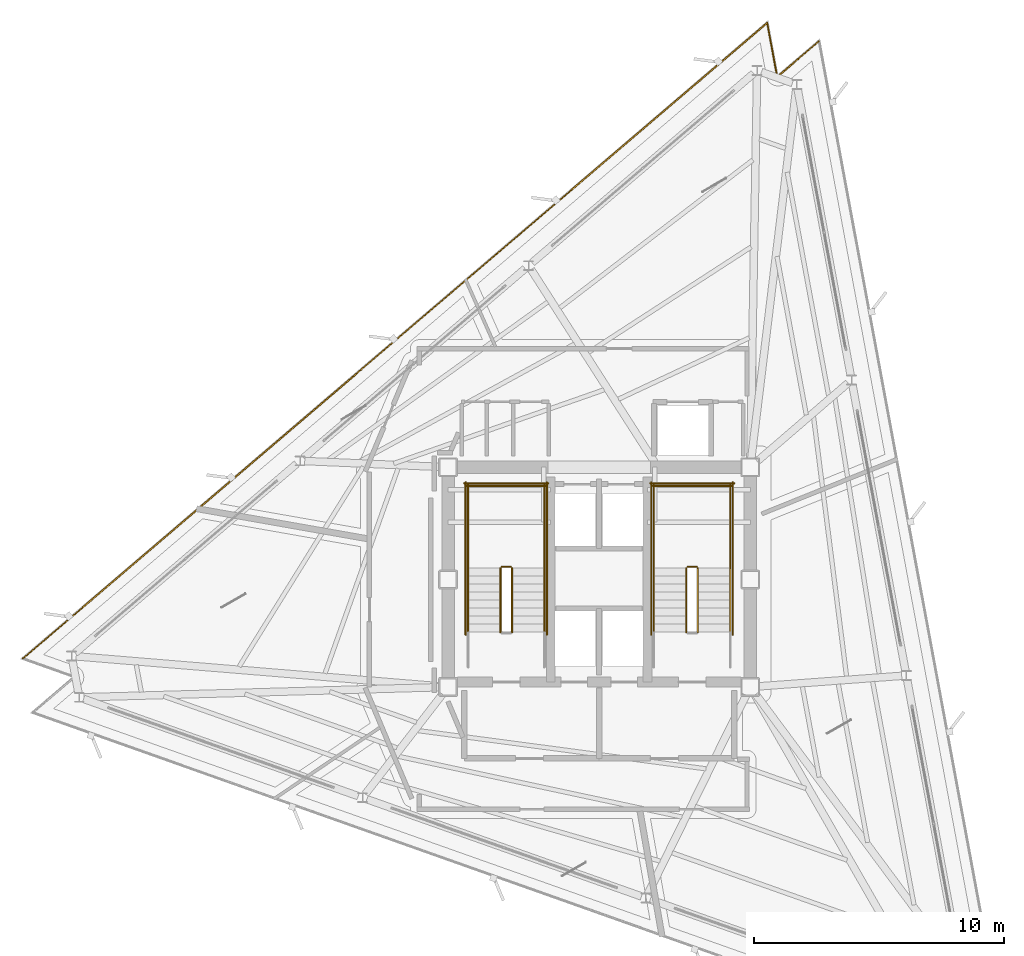
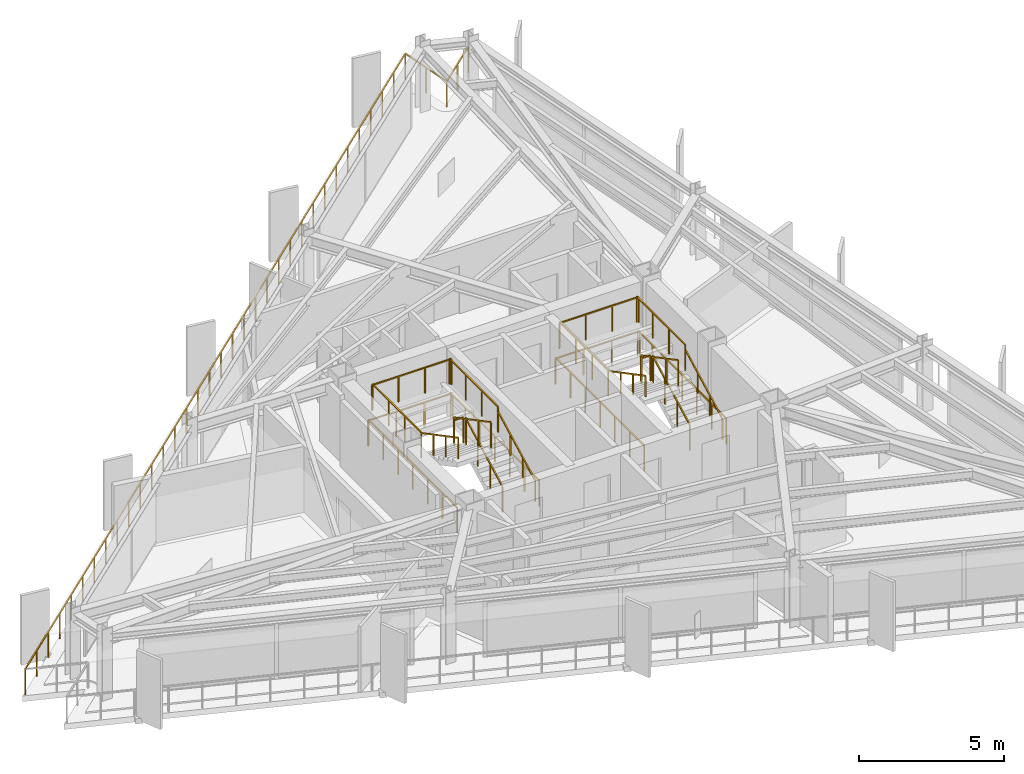
# One storey, part 13 of 14: 23 railings.
"""IFC4 building model written with IfcOpenShell, lengths in metres."""

from ifc_helpers import new_model, si_unit, direction, frame, origin, origin_2d, place, context, subcontext, project, spatial, rectangle, extrude, material, layer, layer_set, type_object, element, save


model = new_model("IFC4")

# Units and contexts
model_context = context("Model", 3, precision=1e-05, world=origin(), true_north=direction((0.0, 1.0)))
body_context = subcontext(model_context, "Body", "Model", "MODEL_VIEW")
ifc_project = project(units=[si_unit("LENGTHUNIT", "METRE"), si_unit("AREAUNIT", "SQUARE_METRE"), si_unit("VOLUMEUNIT", "CUBIC_METRE"), si_unit("PLANEANGLEUNIT", "RADIAN"), si_unit("MASSUNIT", "GRAM", prefix="KILO")], contexts=[model_context])

# Site, building, storey
site_placement = place(None, origin())
site = spatial("IfcSite", under=ifc_project, at=site_placement, CompositionType="ELEMENT")
building_placement = place(site_placement, origin())
building = spatial("IfcBuilding", under=site, at=building_placement, Name="Rocaltana Carrier Exchange", CompositionType="ELEMENT")
storey_placement = place(building_placement, frame((0.0, 0.0, 184.47998046875)))
storey = spatial("IfcBuildingStorey", under=building, at=storey_placement, Name="L58", CompositionType="ELEMENT", Elevation=184.47998046875)

# Railings
ifc_material_1 = material(Name="Brushed Architectural Stainless Tube", Category="steel")
ifc_layer_1 = layer(ifc_material_1, 0.048095703125)
ifc_layer_set_1 = layer_set([ifc_layer_1], Name="Brushed Architectural Stainless Tube")
railing_type_1 = type_object("IfcRailingType", Name="Stair Wall Handrail 920", PredefinedType="HANDRAIL", material=ifc_layer_set_1)
railing_1_placement = place(storey_placement, frame((-2.18994140625, -2.10009765625, 0.1689453125)))
element("IfcRailing", 1, at=railing_1_placement, inside=storey, type_object=railing_type_1, Name="L58 ST-1 stair handrail 1", PredefinedType="HANDRAIL", context=body_context, shape_type="SweptSolid", body=[
    extrude(rectangle(XDim=0.048095703125, YDim=0.048095703125, at=origin_2d()), frame((0.0, 0.0, 0.8759765625), z_axis=(0.0, 0.884394423565, 0.466740295633), x_axis=(-1.0, 0.0, 0.0)), (0.0, 0.0, 1.0), 2.894775390625),
    extrude(rectangle(XDim=0.0419921875, YDim=0.0419921875, at=origin_2d()), origin(), (0.0, 0.0, 1.0), 0.851806640625),
    extrude(rectangle(XDim=0.0419921875, YDim=0.0419921875, at=origin_2d()), frame((0.0, 0.853271484375, 0.450439453125)), (0.0, 0.0, 1.0), 0.851806640625),
    extrude(rectangle(XDim=0.0419921875, YDim=0.0419921875, at=origin_2d()), frame((0.0, 1.706787109375, 0.900634765625)), (0.0, 0.0, 1.0), 0.851806640625),
    extrude(rectangle(XDim=0.0419921875, YDim=0.0419921875, at=origin_2d()), frame((0.0, 2.56005859375, 1.35107421875)), (0.0, 0.0, 1.0), 0.851806640625),
])
railing_2_placement = place(storey_placement, frame((-5.25, 0.4599609375, 1.68896484375)))
element("IfcRailing", 2, at=railing_2_placement, inside=storey, type_object=railing_type_1, Name="L58 ST-1 stair handrail 2", PredefinedType="HANDRAIL", context=body_context, shape_type="SweptSolid", body=[
    extrude(rectangle(XDim=0.048095703125, YDim=0.048095703125, at=origin_2d()), frame((0.0, 0.0, 0.8759765625), z_axis=(0.0, -0.884394423565, 0.466740295633), x_axis=(1.0, 0.0, 0.0)), (0.0, 0.0, 1.0), 2.894775390625),
    extrude(rectangle(XDim=0.0419921875, YDim=0.0419921875, at=origin_2d()), origin(), (0.0, 0.0, 1.0), 0.851806640625),
    extrude(rectangle(XDim=0.0419921875, YDim=0.0419921875, at=origin_2d()), frame((0.0, -0.853271484375, 0.450439453125)), (0.0, 0.0, 1.0), 0.851806640625),
    extrude(rectangle(XDim=0.0419921875, YDim=0.0419921875, at=origin_2d()), frame((0.0, -1.706787109375, 0.900634765625)), (0.0, 0.0, 1.0), 0.851806640625),
    extrude(rectangle(XDim=0.0419921875, YDim=0.0419921875, at=origin_2d()), frame((0.0, -2.56005859375, 1.35107421875)), (0.0, 0.0, 1.0), 0.851806640625),
])
railing_3_placement = place(storey_placement, frame((5.25, -2.10009765625, 0.1689453125)))
element("IfcRailing", 3, at=railing_3_placement, inside=storey, type_object=railing_type_1, Name="L58 ST-2 stair handrail 1", PredefinedType="HANDRAIL", context=body_context, shape_type="SweptSolid", body=[
    extrude(rectangle(XDim=0.048095703125, YDim=0.048095703125, at=origin_2d()), frame((0.0, 0.0, 0.8759765625), z_axis=(0.0, 0.884394423565, 0.466740295633), x_axis=(-1.0, 0.0, 0.0)), (0.0, 0.0, 1.0), 2.894775390625),
    extrude(rectangle(XDim=0.0419921875, YDim=0.0419921875, at=origin_2d()), origin(), (0.0, 0.0, 1.0), 0.851806640625),
    extrude(rectangle(XDim=0.0419921875, YDim=0.0419921875, at=origin_2d()), frame((0.0, 0.853271484375, 0.450439453125)), (0.0, 0.0, 1.0), 0.851806640625),
    extrude(rectangle(XDim=0.0419921875, YDim=0.0419921875, at=origin_2d()), frame((0.0, 1.706787109375, 0.900634765625)), (0.0, 0.0, 1.0), 0.851806640625),
    extrude(rectangle(XDim=0.0419921875, YDim=0.0419921875, at=origin_2d()), frame((0.0, 2.56005859375, 1.35107421875)), (0.0, 0.0, 1.0), 0.851806640625),
])
railing_4_placement = place(storey_placement, frame((2.18994140625, 0.4599609375, 1.68896484375)))
element("IfcRailing", 4, at=railing_4_placement, inside=storey, type_object=railing_type_1, Name="L58 ST-2 stair handrail 2", PredefinedType="HANDRAIL", context=body_context, shape_type="SweptSolid", body=[
    extrude(rectangle(XDim=0.048095703125, YDim=0.048095703125, at=origin_2d()), frame((0.0, 0.0, 0.8759765625), z_axis=(0.0, -0.884394423565, 0.466740295633), x_axis=(1.0, 0.0, 0.0)), (0.0, 0.0, 1.0), 2.894775390625),
    extrude(rectangle(XDim=0.0419921875, YDim=0.0419921875, at=origin_2d()), origin(), (0.0, 0.0, 1.0), 0.851806640625),
    extrude(rectangle(XDim=0.0419921875, YDim=0.0419921875, at=origin_2d()), frame((0.0, -0.853271484375, 0.450439453125)), (0.0, 0.0, 1.0), 0.851806640625),
    extrude(rectangle(XDim=0.0419921875, YDim=0.0419921875, at=origin_2d()), frame((0.0, -1.706787109375, 0.900634765625)), (0.0, 0.0, 1.0), 0.851806640625),
    extrude(rectangle(XDim=0.0419921875, YDim=0.0419921875, at=origin_2d()), frame((0.0, -2.56005859375, 1.35107421875)), (0.0, 0.0, 1.0), 0.851806640625),
])
ifc_material_2 = material(Name="Powder-Coated Aluminium 6063-T6", Category="aluminium")
ifc_layer_2 = layer(ifc_material_2, 0.048095703125)
ifc_layer_set_2 = layer_set([ifc_layer_2], Name="Powder-Coated Aluminium 6063-T6")
railing_type_2 = type_object("IfcRailingType", Name="Stair Well Guardrail 1100", PredefinedType="GUARDRAIL", material=ifc_layer_set_2)
railing_5_placement = place(storey_placement, frame((-3.489990234375, -2.10009765625, 0.1689453125)))
element("IfcRailing", 5, at=railing_5_placement, inside=storey, type_object=railing_type_2, Name="L58 ST-1 stair guard 1", PredefinedType="GUARDRAIL", context=body_context, shape_type="SweptSolid", body=[
    extrude(rectangle(XDim=0.048095703125, YDim=0.048095703125, at=origin_2d()), frame((0.0, 0.0, 1.076171875), z_axis=(0.0, 0.884394423565, 0.466740295633), x_axis=(-1.0, 0.0, 0.0)), (0.0, 0.0, 1.0), 2.894775390625),
    extrude(rectangle(XDim=0.0419921875, YDim=0.0419921875, at=origin_2d()), origin(), (0.0, 0.0, 1.0), 1.052001953125),
    extrude(rectangle(XDim=0.0419921875, YDim=0.0419921875, at=origin_2d()), frame((0.0, 0.853271484375, 0.450439453125)), (0.0, 0.0, 1.0), 1.052001953125),
    extrude(rectangle(XDim=0.0419921875, YDim=0.0419921875, at=origin_2d()), frame((0.0, 1.706787109375, 0.900634765625)), (0.0, 0.0, 1.0), 1.052001953125),
    extrude(rectangle(XDim=0.0419921875, YDim=0.0419921875, at=origin_2d()), frame((0.0, 2.56005859375, 1.35107421875)), (0.0, 0.0, 1.0), 1.052001953125),
])
railing_6_placement = place(storey_placement, frame((-3.5400390625, 0.510009765625, 1.52001953125)))
element("IfcRailing", 6, at=railing_6_placement, inside=storey, type_object=railing_type_2, Name="L58 ST-1 stair guard 2", PredefinedType="GUARDRAIL", context=body_context, shape_type="SweptSolid", body=[
    extrude(rectangle(XDim=0.048095703125, YDim=0.048095703125, at=origin_2d()), frame((0.0, 0.0, 1.076171875), z_axis=(-1.0, 0.0, 0.0), x_axis=(0.0, -1.0, 0.0)), (0.0, 0.0, 1.0), 0.35986328125),
    extrude(rectangle(XDim=0.0419921875, YDim=0.0419921875, at=origin_2d()), origin(), (0.0, 0.0, 1.0), 1.052001953125),
    extrude(rectangle(XDim=0.0419921875, YDim=0.0419921875, at=origin_2d()), frame((-0.35986328125, 0.0, 0.0)), (0.0, 0.0, 1.0), 1.052001953125),
])
for number, where, name in (
    (7, (-2.18994140625, 0.4599609375, 1.52001953125), "L58 ST-1 stair guard 3"),
    (8, (-5.25, 0.4599609375, 1.52001953125), "L58 ST-1 stair guard 4"),
):
    element("IfcRailing", number, at=place(storey_placement, frame(where)), inside=storey, type_object=railing_type_2, Name=name, PredefinedType="GUARDRAIL", context=body_context, shape_type="SweptSolid", body=[
        extrude(rectangle(XDim=0.048095703125, YDim=0.048095703125, at=origin_2d()), frame((0.0, 0.0, 1.076171875), z_axis=(0.0, 1.0, 0.0), x_axis=(-1.0, 0.0, 0.0)), (0.0, 0.0, 1.0), 3.340087890625),
        extrude(rectangle(XDim=0.0419921875, YDim=0.0419921875, at=origin_2d()), origin(), (0.0, 0.0, 1.0), 1.052001953125),
        extrude(rectangle(XDim=0.0419921875, YDim=0.0419921875, at=origin_2d()), frame((0.0, 1.11328125, 0.0)), (0.0, 0.0, 1.0), 1.052001953125),
        extrude(rectangle(XDim=0.0419921875, YDim=0.0419921875, at=origin_2d()), frame((0.0, 2.226806640625, 0.0)), (0.0, 0.0, 1.0), 1.052001953125),
        extrude(rectangle(XDim=0.0419921875, YDim=0.0419921875, at=origin_2d()), frame((0.0, 3.340087890625, 0.0)), (0.0, 0.0, 1.0), 1.052001953125),
    ])
railing_7_placement = place(storey_placement, frame((-2.139892578125, 3.75, 1.52001953125)))
element("IfcRailing", 9, at=railing_7_placement, inside=storey, type_object=railing_type_2, Name="L58 ST-1 stair guard 5", PredefinedType="GUARDRAIL", context=body_context, shape_type="SweptSolid", body=[
    extrude(rectangle(XDim=0.048095703125, YDim=0.048095703125, at=origin_2d()), frame((0.0, 0.0, 1.076171875), z_axis=(-1.0, 0.0, 0.0), x_axis=(0.0, -1.0, 0.0)), (0.0, 0.0, 1.0), 3.16015625),
    extrude(rectangle(XDim=0.0419921875, YDim=0.0419921875, at=origin_2d()), origin(), (0.0, 0.0, 1.0), 1.052001953125),
    extrude(rectangle(XDim=0.0419921875, YDim=0.0419921875, at=origin_2d()), frame((-1.053466796875, 0.0, 0.0)), (0.0, 0.0, 1.0), 1.052001953125),
    extrude(rectangle(XDim=0.0419921875, YDim=0.0419921875, at=origin_2d()), frame((-2.106689453125, 0.0, 0.0)), (0.0, 0.0, 1.0), 1.052001953125),
    extrude(rectangle(XDim=0.0419921875, YDim=0.0419921875, at=origin_2d()), frame((-3.16015625, 0.0, 0.0)), (0.0, 0.0, 1.0), 1.052001953125),
])
railing_8_placement = place(storey_placement, frame((-3.949951171875, 0.4599609375, 1.68896484375)))
element("IfcRailing", 10, at=railing_8_placement, inside=storey, type_object=railing_type_2, Name="L58 ST-1 stair guard 6", PredefinedType="GUARDRAIL", context=body_context, shape_type="SweptSolid", body=[
    extrude(rectangle(XDim=0.048095703125, YDim=0.048095703125, at=origin_2d()), frame((0.0, 0.0, 1.076171875), z_axis=(0.0, -0.884394423565, 0.466740295633), x_axis=(1.0, 0.0, 0.0)), (0.0, 0.0, 1.0), 2.894775390625),
    extrude(rectangle(XDim=0.0419921875, YDim=0.0419921875, at=origin_2d()), origin(), (0.0, 0.0, 1.0), 1.052001953125),
    extrude(rectangle(XDim=0.0419921875, YDim=0.0419921875, at=origin_2d()), frame((0.0, -0.853271484375, 0.450439453125)), (0.0, 0.0, 1.0), 1.052001953125),
    extrude(rectangle(XDim=0.0419921875, YDim=0.0419921875, at=origin_2d()), frame((0.0, -1.706787109375, 0.900634765625)), (0.0, 0.0, 1.0), 1.052001953125),
    extrude(rectangle(XDim=0.0419921875, YDim=0.0419921875, at=origin_2d()), frame((0.0, -2.56005859375, 1.35107421875)), (0.0, 0.0, 1.0), 1.052001953125),
])
for number, where, name in (
    (11, (-2.090087890625, -2.199951171875, 0.0), "L58 ST-1 stair guard 10"),
    (12, (-5.35009765625, -2.199951171875, 0.0), "L58 ST-1 stair guard 11"),
):
    element("IfcRailing", number, at=place(storey_placement, frame(where)), inside=storey, type_object=railing_type_2, Name=name, PredefinedType="GUARDRAIL", context=body_context, shape_type="SweptSolid", body=[
        extrude(rectangle(XDim=0.048095703125, YDim=0.048095703125, at=origin_2d()), frame((0.0, 0.0, 1.076171875), z_axis=(0.0, 1.0, 0.0), x_axis=(-1.0, 0.0, 0.0)), (0.0, 0.0, 1.0), 6.099853515625),
        extrude(rectangle(XDim=0.0419921875, YDim=0.0419921875, at=origin_2d()), origin(), (0.0, 0.0, 1.0), 1.052001953125),
        extrude(rectangle(XDim=0.0419921875, YDim=0.0419921875, at=origin_2d()), frame((0.0, 1.0166015625, 0.0)), (0.0, 0.0, 1.0), 1.052001953125),
        extrude(rectangle(XDim=0.0419921875, YDim=0.0419921875, at=origin_2d()), frame((0.0, 2.033203125, 0.0)), (0.0, 0.0, 1.0), 1.052001953125),
        extrude(rectangle(XDim=0.0419921875, YDim=0.0419921875, at=origin_2d()), frame((0.0, 3.0498046875, 0.0)), (0.0, 0.0, 1.0), 1.052001953125),
        extrude(rectangle(XDim=0.0419921875, YDim=0.0419921875, at=origin_2d()), frame((0.0, 4.066650390625, 0.0)), (0.0, 0.0, 1.0), 1.052001953125),
        extrude(rectangle(XDim=0.0419921875, YDim=0.0419921875, at=origin_2d()), frame((0.0, 5.083251953125, 0.0)), (0.0, 0.0, 1.0), 1.052001953125),
        extrude(rectangle(XDim=0.0419921875, YDim=0.0419921875, at=origin_2d()), frame((0.0, 6.099853515625, 0.0)), (0.0, 0.0, 1.0), 1.052001953125),
    ])
railing_9_placement = place(storey_placement, frame((-2.0400390625, 3.85009765625, 0.0)))
element("IfcRailing", 13, at=railing_9_placement, inside=storey, type_object=railing_type_2, Name="L58 ST-1 stair guard 12", PredefinedType="GUARDRAIL", context=body_context, shape_type="SweptSolid", body=[
    extrude(rectangle(XDim=0.048095703125, YDim=0.048095703125, at=origin_2d()), frame((0.0, 0.0, 1.076171875), z_axis=(-1.0, 0.0, 0.0), x_axis=(0.0, -1.0, 0.0)), (0.0, 0.0, 1.0), 3.35986328125),
    extrude(rectangle(XDim=0.0419921875, YDim=0.0419921875, at=origin_2d()), origin(), (0.0, 0.0, 1.0), 1.052001953125),
    extrude(rectangle(XDim=0.0419921875, YDim=0.0419921875, at=origin_2d()), frame((-1.119873046875, 0.0, 0.0)), (0.0, 0.0, 1.0), 1.052001953125),
    extrude(rectangle(XDim=0.0419921875, YDim=0.0419921875, at=origin_2d()), frame((-2.239990234375, 0.0, 0.0)), (0.0, 0.0, 1.0), 1.052001953125),
    extrude(rectangle(XDim=0.0419921875, YDim=0.0419921875, at=origin_2d()), frame((-3.35986328125, 0.0, 0.0)), (0.0, 0.0, 1.0), 1.052001953125),
])
railing_10_placement = place(storey_placement, frame((3.949951171875, -2.10009765625, 0.1689453125)))
element("IfcRailing", 14, at=railing_10_placement, inside=storey, type_object=railing_type_2, Name="L58 ST-2 stair guard 1", PredefinedType="GUARDRAIL", context=body_context, shape_type="SweptSolid", body=[
    extrude(rectangle(XDim=0.048095703125, YDim=0.048095703125, at=origin_2d()), frame((0.0, 0.0, 1.076171875), z_axis=(0.0, 0.884394423565, 0.466740295633), x_axis=(-1.0, 0.0, 0.0)), (0.0, 0.0, 1.0), 2.894775390625),
    extrude(rectangle(XDim=0.0419921875, YDim=0.0419921875, at=origin_2d()), origin(), (0.0, 0.0, 1.0), 1.052001953125),
    extrude(rectangle(XDim=0.0419921875, YDim=0.0419921875, at=origin_2d()), frame((0.0, 0.853271484375, 0.450439453125)), (0.0, 0.0, 1.0), 1.052001953125),
    extrude(rectangle(XDim=0.0419921875, YDim=0.0419921875, at=origin_2d()), frame((0.0, 1.706787109375, 0.900634765625)), (0.0, 0.0, 1.0), 1.052001953125),
    extrude(rectangle(XDim=0.0419921875, YDim=0.0419921875, at=origin_2d()), frame((0.0, 2.56005859375, 1.35107421875)), (0.0, 0.0, 1.0), 1.052001953125),
])
railing_11_placement = place(storey_placement, frame((3.89990234375, 0.510009765625, 1.52001953125)))
element("IfcRailing", 15, at=railing_11_placement, inside=storey, type_object=railing_type_2, Name="L58 ST-2 stair guard 2", PredefinedType="GUARDRAIL", context=body_context, shape_type="SweptSolid", body=[
    extrude(rectangle(XDim=0.048095703125, YDim=0.048095703125, at=origin_2d()), frame((0.0, 0.0, 1.076171875), z_axis=(-1.0, 0.0, 0.0), x_axis=(0.0, -1.0, 0.0)), (0.0, 0.0, 1.0), 0.35986328125),
    extrude(rectangle(XDim=0.0419921875, YDim=0.0419921875, at=origin_2d()), origin(), (0.0, 0.0, 1.0), 1.052001953125),
    extrude(rectangle(XDim=0.0419921875, YDim=0.0419921875, at=origin_2d()), frame((-0.35986328125, 0.0, 0.0)), (0.0, 0.0, 1.0), 1.052001953125),
])
for number, where, name in (
    (16, (5.25, 0.4599609375, 1.52001953125), "L58 ST-2 stair guard 3"),
    (17, (2.18994140625, 0.4599609375, 1.52001953125), "L58 ST-2 stair guard 4"),
):
    element("IfcRailing", number, at=place(storey_placement, frame(where)), inside=storey, type_object=railing_type_2, Name=name, PredefinedType="GUARDRAIL", context=body_context, shape_type="SweptSolid", body=[
        extrude(rectangle(XDim=0.048095703125, YDim=0.048095703125, at=origin_2d()), frame((0.0, 0.0, 1.076171875), z_axis=(0.0, 1.0, 0.0), x_axis=(-1.0, 0.0, 0.0)), (0.0, 0.0, 1.0), 3.340087890625),
        extrude(rectangle(XDim=0.0419921875, YDim=0.0419921875, at=origin_2d()), origin(), (0.0, 0.0, 1.0), 1.052001953125),
        extrude(rectangle(XDim=0.0419921875, YDim=0.0419921875, at=origin_2d()), frame((0.0, 1.11328125, 0.0)), (0.0, 0.0, 1.0), 1.052001953125),
        extrude(rectangle(XDim=0.0419921875, YDim=0.0419921875, at=origin_2d()), frame((0.0, 2.226806640625, 0.0)), (0.0, 0.0, 1.0), 1.052001953125),
        extrude(rectangle(XDim=0.0419921875, YDim=0.0419921875, at=origin_2d()), frame((0.0, 3.340087890625, 0.0)), (0.0, 0.0, 1.0), 1.052001953125),
    ])
railing_12_placement = place(storey_placement, frame((5.300048828125, 3.75, 1.52001953125)))
element("IfcRailing", 18, at=railing_12_placement, inside=storey, type_object=railing_type_2, Name="L58 ST-2 stair guard 5", PredefinedType="GUARDRAIL", context=body_context, shape_type="SweptSolid", body=[
    extrude(rectangle(XDim=0.048095703125, YDim=0.048095703125, at=origin_2d()), frame((0.0, 0.0, 1.076171875), z_axis=(-1.0, 0.0, 0.0), x_axis=(0.0, -1.0, 0.0)), (0.0, 0.0, 1.0), 3.16015625),
    extrude(rectangle(XDim=0.0419921875, YDim=0.0419921875, at=origin_2d()), origin(), (0.0, 0.0, 1.0), 1.052001953125),
    extrude(rectangle(XDim=0.0419921875, YDim=0.0419921875, at=origin_2d()), frame((-1.053466796875, 0.0, 0.0)), (0.0, 0.0, 1.0), 1.052001953125),
    extrude(rectangle(XDim=0.0419921875, YDim=0.0419921875, at=origin_2d()), frame((-2.106689453125, 0.0, 0.0)), (0.0, 0.0, 1.0), 1.052001953125),
    extrude(rectangle(XDim=0.0419921875, YDim=0.0419921875, at=origin_2d()), frame((-3.16015625, 0.0, 0.0)), (0.0, 0.0, 1.0), 1.052001953125),
])
railing_13_placement = place(storey_placement, frame((3.489990234375, 0.4599609375, 1.68896484375)))
element("IfcRailing", 19, at=railing_13_placement, inside=storey, type_object=railing_type_2, Name="L58 ST-2 stair guard 6", PredefinedType="GUARDRAIL", context=body_context, shape_type="SweptSolid", body=[
    extrude(rectangle(XDim=0.048095703125, YDim=0.048095703125, at=origin_2d()), frame((0.0, 0.0, 1.076171875), z_axis=(0.0, -0.884394423565, 0.466740295633), x_axis=(1.0, 0.0, 0.0)), (0.0, 0.0, 1.0), 2.894775390625),
    extrude(rectangle(XDim=0.0419921875, YDim=0.0419921875, at=origin_2d()), origin(), (0.0, 0.0, 1.0), 1.052001953125),
    extrude(rectangle(XDim=0.0419921875, YDim=0.0419921875, at=origin_2d()), frame((0.0, -0.853271484375, 0.450439453125)), (0.0, 0.0, 1.0), 1.052001953125),
    extrude(rectangle(XDim=0.0419921875, YDim=0.0419921875, at=origin_2d()), frame((0.0, -1.706787109375, 0.900634765625)), (0.0, 0.0, 1.0), 1.052001953125),
    extrude(rectangle(XDim=0.0419921875, YDim=0.0419921875, at=origin_2d()), frame((0.0, -2.56005859375, 1.35107421875)), (0.0, 0.0, 1.0), 1.052001953125),
])
for number, where, name in (
    (20, (5.35009765625, -2.199951171875, 0.0), "L58 ST-2 stair guard 10"),
    (21, (2.090087890625, -2.199951171875, 0.0), "L58 ST-2 stair guard 11"),
):
    element("IfcRailing", number, at=place(storey_placement, frame(where)), inside=storey, type_object=railing_type_2, Name=name, PredefinedType="GUARDRAIL", context=body_context, shape_type="SweptSolid", body=[
        extrude(rectangle(XDim=0.048095703125, YDim=0.048095703125, at=origin_2d()), frame((0.0, 0.0, 1.076171875), z_axis=(0.0, 1.0, 0.0), x_axis=(-1.0, 0.0, 0.0)), (0.0, 0.0, 1.0), 6.099853515625),
        extrude(rectangle(XDim=0.0419921875, YDim=0.0419921875, at=origin_2d()), origin(), (0.0, 0.0, 1.0), 1.052001953125),
        extrude(rectangle(XDim=0.0419921875, YDim=0.0419921875, at=origin_2d()), frame((0.0, 1.0166015625, 0.0)), (0.0, 0.0, 1.0), 1.052001953125),
        extrude(rectangle(XDim=0.0419921875, YDim=0.0419921875, at=origin_2d()), frame((0.0, 2.033203125, 0.0)), (0.0, 0.0, 1.0), 1.052001953125),
        extrude(rectangle(XDim=0.0419921875, YDim=0.0419921875, at=origin_2d()), frame((0.0, 3.0498046875, 0.0)), (0.0, 0.0, 1.0), 1.052001953125),
        extrude(rectangle(XDim=0.0419921875, YDim=0.0419921875, at=origin_2d()), frame((0.0, 4.066650390625, 0.0)), (0.0, 0.0, 1.0), 1.052001953125),
        extrude(rectangle(XDim=0.0419921875, YDim=0.0419921875, at=origin_2d()), frame((0.0, 5.083251953125, 0.0)), (0.0, 0.0, 1.0), 1.052001953125),
        extrude(rectangle(XDim=0.0419921875, YDim=0.0419921875, at=origin_2d()), frame((0.0, 6.099853515625, 0.0)), (0.0, 0.0, 1.0), 1.052001953125),
    ])
railing_14_placement = place(storey_placement, frame((5.39990234375, 3.85009765625, 0.0)))
element("IfcRailing", 22, at=railing_14_placement, inside=storey, type_object=railing_type_2, Name="L58 ST-2 stair guard 12", PredefinedType="GUARDRAIL", context=body_context, shape_type="SweptSolid", body=[
    extrude(rectangle(XDim=0.048095703125, YDim=0.048095703125, at=origin_2d()), frame((0.0, 0.0, 1.076171875), z_axis=(-1.0, 0.0, 0.0), x_axis=(0.0, -1.0, 0.0)), (0.0, 0.0, 1.0), 3.35986328125),
    extrude(rectangle(XDim=0.0419921875, YDim=0.0419921875, at=origin_2d()), origin(), (0.0, 0.0, 1.0), 1.052001953125),
    extrude(rectangle(XDim=0.0419921875, YDim=0.0419921875, at=origin_2d()), frame((-1.119873046875, 0.0, 0.0)), (0.0, 0.0, 1.0), 1.052001953125),
    extrude(rectangle(XDim=0.0419921875, YDim=0.0419921875, at=origin_2d()), frame((-2.239990234375, 0.0, 0.0)), (0.0, 0.0, 1.0), 1.052001953125),
    extrude(rectangle(XDim=0.0419921875, YDim=0.0419921875, at=origin_2d()), frame((-3.35986328125, 0.0, 0.0)), (0.0, 0.0, 1.0), 1.052001953125),
])
ifc_material_3 = material(Name="Powder-Coated Aluminium 6063-T6", Category="aluminium")
ifc_layer_3 = layer(ifc_material_3, 0.06005859375)
ifc_layer_set_3 = layer_set([ifc_layer_3], Name="Powder-Coated Aluminium 6063-T6")
railing_type_3 = type_object("IfcRailingType", Name="Wind-Floor & Terrace Perimeter Guardrail 1100", PredefinedType="GUARDRAIL", material=ifc_layer_set_3)
railing_15_placement = place(storey_placement, frame((-23.073486328125, -3.15771484375, 0.0)))
element("IfcRailing", 23, at=railing_15_placement, inside=storey, type_object=railing_type_3, Name="L58 Perimeter Balcony Guardrail 2", PredefinedType="GUARDRAIL", context=body_context, shape_type="SweptSolid", body=[
    extrude(rectangle(XDim=0.048095703125, YDim=0.048095703125, at=origin_2d()), frame((0.0, 0.0, 1.076171875), z_axis=(0.760402646587, 0.649451934375, 0.0), x_axis=(-0.649451934375, 0.760402646587, 0.0)), (0.0, 0.0, 1.0), 39.192138671875),
    extrude(rectangle(XDim=0.048095703125, YDim=0.048095703125, at=origin_2d()), frame((29.8017578125, 25.453369140625, 1.076171875), z_axis=(0.182204491792, -0.983260658814, 0.0), x_axis=(0.983260658814, 0.182204491792, 0.0)), (0.0, 0.0, 1.0), 2.2001953125),
    extrude(rectangle(XDim=0.048095703125, YDim=0.048095703125, at=origin_2d()), frame((30.20263671875, 23.2900390625, 1.076171875), z_axis=(0.760359977453, 0.649501889672, 0.0), x_axis=(-0.649501889672, 0.760359977453, 0.0)), (0.0, 0.0, 1.0), 2.2001953125),
    extrude(rectangle(XDim=0.0419921875, YDim=0.0419921875, at=origin_2d()), origin(), (0.0, 0.0, 1.0), 1.052001953125),
    extrude(rectangle(XDim=0.0419921875, YDim=0.0419921875, at=origin_2d()), frame((0.903076171875, 0.771240234375, 0.0)), (0.0, 0.0, 1.0), 1.052001953125),
    extrude(rectangle(XDim=0.0419921875, YDim=0.0419921875, at=origin_2d()), frame((1.80615234375, 1.542724609375, 0.0)), (0.0, 0.0, 1.0), 1.052001953125),
    extrude(rectangle(XDim=0.0419921875, YDim=0.0419921875, at=origin_2d()), frame((2.709228515625, 2.31396484375, 0.0)), (0.0, 0.0, 1.0), 1.052001953125),
    extrude(rectangle(XDim=0.0419921875, YDim=0.0419921875, at=origin_2d()), frame((3.6123046875, 3.085205078125, 0.0)), (0.0, 0.0, 1.0), 1.052001953125),
    extrude(rectangle(XDim=0.0419921875, YDim=0.0419921875, at=origin_2d()), frame((4.515380859375, 3.856689453125, 0.0)), (0.0, 0.0, 1.0), 1.052001953125),
    extrude(rectangle(XDim=0.0419921875, YDim=0.0419921875, at=origin_2d()), frame((5.41845703125, 4.6279296875, 0.0)), (0.0, 0.0, 1.0), 1.052001953125),
    extrude(rectangle(XDim=0.0419921875, YDim=0.0419921875, at=origin_2d()), frame((6.321533203125, 5.399169921875, 0.0)), (0.0, 0.0, 1.0), 1.052001953125),
    extrude(rectangle(XDim=0.0419921875, YDim=0.0419921875, at=origin_2d()), frame((7.224609375, 6.17041015625, 0.0)), (0.0, 0.0, 1.0), 1.052001953125),
    extrude(rectangle(XDim=0.0419921875, YDim=0.0419921875, at=origin_2d()), frame((8.127685546875, 6.94189453125, 0.0)), (0.0, 0.0, 1.0), 1.052001953125),
    extrude(rectangle(XDim=0.0419921875, YDim=0.0419921875, at=origin_2d()), frame((9.03076171875, 7.713134765625, 0.0)), (0.0, 0.0, 1.0), 1.052001953125),
    extrude(rectangle(XDim=0.0419921875, YDim=0.0419921875, at=origin_2d()), frame((9.933837890625, 8.484375, 0.0)), (0.0, 0.0, 1.0), 1.052001953125),
    extrude(rectangle(XDim=0.0419921875, YDim=0.0419921875, at=origin_2d()), frame((10.8369140625, 9.255859375, 0.0)), (0.0, 0.0, 1.0), 1.052001953125),
    extrude(rectangle(XDim=0.0419921875, YDim=0.0419921875, at=origin_2d()), frame((11.739990234375, 10.027099609375, 0.0)), (0.0, 0.0, 1.0), 1.052001953125),
    extrude(rectangle(XDim=0.0419921875, YDim=0.0419921875, at=origin_2d()), frame((12.64306640625, 10.79833984375, 0.0)), (0.0, 0.0, 1.0), 1.052001953125),
    extrude(rectangle(XDim=0.0419921875, YDim=0.0419921875, at=origin_2d()), frame((13.546142578125, 11.56982421875, 0.0)), (0.0, 0.0, 1.0), 1.052001953125),
    extrude(rectangle(XDim=0.0419921875, YDim=0.0419921875, at=origin_2d()), frame((14.44921875, 12.341064453125, 0.0)), (0.0, 0.0, 1.0), 1.052001953125),
    extrude(rectangle(XDim=0.0419921875, YDim=0.0419921875, at=origin_2d()), frame((15.3525390625, 13.1123046875, 0.0)), (0.0, 0.0, 1.0), 1.052001953125),
    extrude(rectangle(XDim=0.0419921875, YDim=0.0419921875, at=origin_2d()), frame((16.255615234375, 13.883544921875, 0.0)), (0.0, 0.0, 1.0), 1.052001953125),
    extrude(rectangle(XDim=0.0419921875, YDim=0.0419921875, at=origin_2d()), frame((17.15869140625, 14.655029296875, 0.0)), (0.0, 0.0, 1.0), 1.052001953125),
    extrude(rectangle(XDim=0.0419921875, YDim=0.0419921875, at=origin_2d()), frame((18.061767578125, 15.42626953125, 0.0)), (0.0, 0.0, 1.0), 1.052001953125),
    extrude(rectangle(XDim=0.0419921875, YDim=0.0419921875, at=origin_2d()), frame((18.96484375, 16.197509765625, 0.0)), (0.0, 0.0, 1.0), 1.052001953125),
    extrude(rectangle(XDim=0.0419921875, YDim=0.0419921875, at=origin_2d()), frame((19.867919921875, 16.968994140625, 0.0)), (0.0, 0.0, 1.0), 1.052001953125),
    extrude(rectangle(XDim=0.0419921875, YDim=0.0419921875, at=origin_2d()), frame((20.77099609375, 17.740234375, 0.0)), (0.0, 0.0, 1.0), 1.052001953125),
    extrude(rectangle(XDim=0.0419921875, YDim=0.0419921875, at=origin_2d()), frame((21.674072265625, 18.511474609375, 0.0)), (0.0, 0.0, 1.0), 1.052001953125),
    extrude(rectangle(XDim=0.0419921875, YDim=0.0419921875, at=origin_2d()), frame((22.5771484375, 19.282958984375, 0.0)), (0.0, 0.0, 1.0), 1.052001953125),
    extrude(rectangle(XDim=0.0419921875, YDim=0.0419921875, at=origin_2d()), frame((23.480224609375, 20.05419921875, 0.0)), (0.0, 0.0, 1.0), 1.052001953125),
    extrude(rectangle(XDim=0.0419921875, YDim=0.0419921875, at=origin_2d()), frame((24.38330078125, 20.825439453125, 0.0)), (0.0, 0.0, 1.0), 1.052001953125),
    extrude(rectangle(XDim=0.0419921875, YDim=0.0419921875, at=origin_2d()), frame((25.286376953125, 21.5966796875, 0.0)), (0.0, 0.0, 1.0), 1.052001953125),
    extrude(rectangle(XDim=0.0419921875, YDim=0.0419921875, at=origin_2d()), frame((26.189453125, 22.3681640625, 0.0)), (0.0, 0.0, 1.0), 1.052001953125),
    extrude(rectangle(XDim=0.0419921875, YDim=0.0419921875, at=origin_2d()), frame((27.092529296875, 23.139404296875, 0.0)), (0.0, 0.0, 1.0), 1.052001953125),
    extrude(rectangle(XDim=0.0419921875, YDim=0.0419921875, at=origin_2d()), frame((27.99560546875, 23.91064453125, 0.0)), (0.0, 0.0, 1.0), 1.052001953125),
    extrude(rectangle(XDim=0.0419921875, YDim=0.0419921875, at=origin_2d()), frame((28.898681640625, 24.68212890625, 0.0)), (0.0, 0.0, 1.0), 1.052001953125),
    extrude(rectangle(XDim=0.0419921875, YDim=0.0419921875, at=origin_2d()), frame((29.8017578125, 25.453369140625, 0.0)), (0.0, 0.0, 1.0), 1.052001953125),
    extrude(rectangle(XDim=0.0419921875, YDim=0.0419921875, at=origin_2d()), frame((30.002197265625, 24.37158203125, 0.0)), (0.0, 0.0, 1.0), 1.052001953125),
    extrude(rectangle(XDim=0.0419921875, YDim=0.0419921875, at=origin_2d()), frame((30.20263671875, 23.2900390625, 0.0)), (0.0, 0.0, 1.0), 1.052001953125),
    extrude(rectangle(XDim=0.0419921875, YDim=0.0419921875, at=origin_2d()), frame((31.0390625, 24.00439453125, 0.0)), (0.0, 0.0, 1.0), 1.052001953125),
    extrude(rectangle(XDim=0.0419921875, YDim=0.0419921875, at=origin_2d()), frame((31.87548828125, 24.718994140625, 0.0)), (0.0, 0.0, 1.0), 1.052001953125),
])

save(model, "model.ifc")
